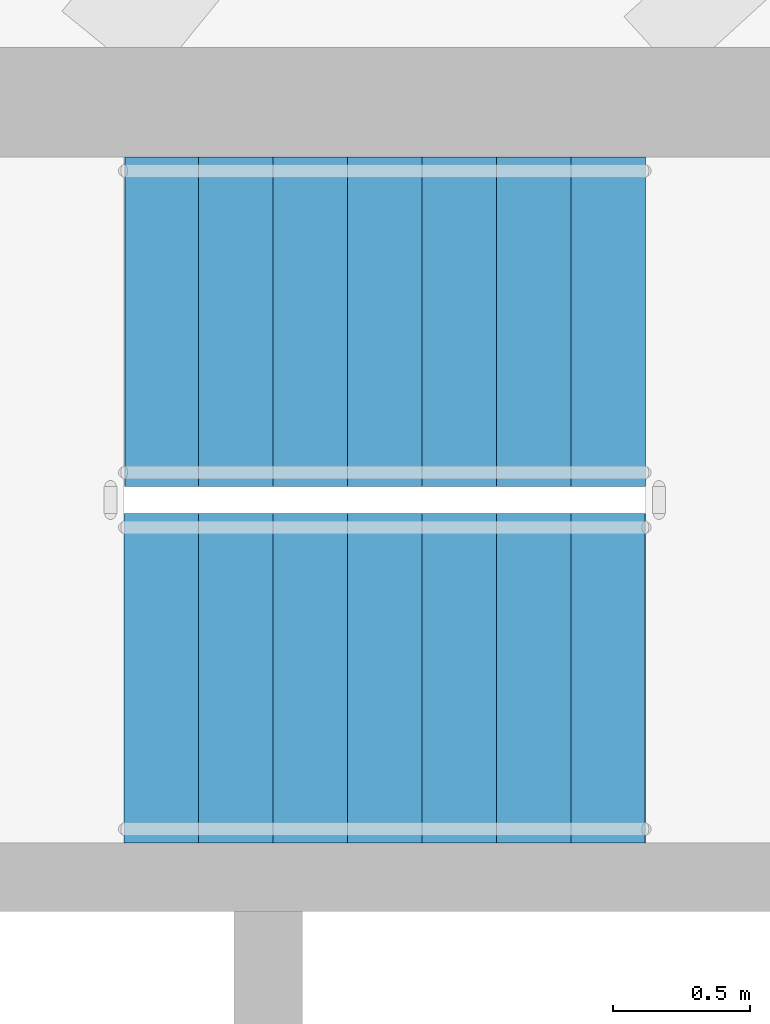
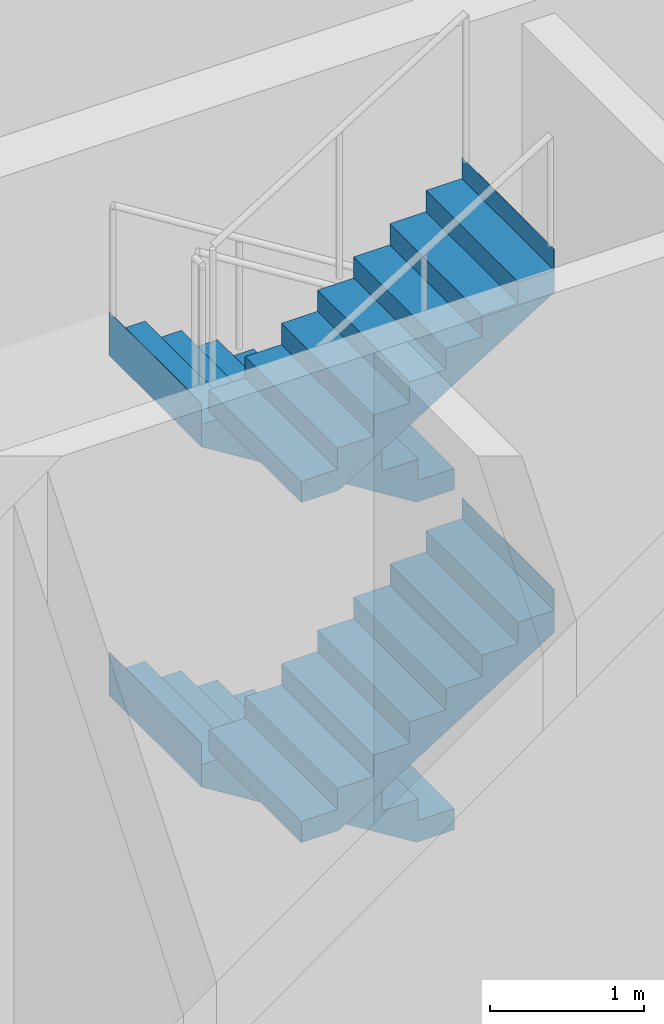
# One storey, part 10 of 16: 4 stair flights, 1 element without a shape of its own.
"""IFC4 building model written with IfcOpenShell, lengths in metres."""

from ifc_helpers import new_model, si_unit, direction, frame, origin, place, context, subcontext, project, spatial, triangles, material, type_object, element, aggregate, save


model = new_model("IFC4")

# Units and contexts
model_context = context("Model", 3, precision=1e-05, world=origin(), true_north=direction((0.0, 1.0)))
body_context = subcontext(model_context, "Body", "Model", "MODEL_VIEW")
ifc_project = project(units=[si_unit("LENGTHUNIT", "METRE"), si_unit("AREAUNIT", "SQUARE_METRE"), si_unit("VOLUMEUNIT", "CUBIC_METRE"), si_unit("PLANEANGLEUNIT", "RADIAN"), si_unit("MASSUNIT", "GRAM", prefix="KILO")], contexts=[model_context])

# Site, building, storey
site_placement = place(None, origin())
site = spatial("IfcSite", under=ifc_project, at=site_placement, CompositionType="ELEMENT")
building_placement = place(site_placement, origin())
building = spatial("IfcBuilding", under=site, at=building_placement, Name="Sahrelin Media Tower", CompositionType="ELEMENT")
storey_placement = place(building_placement, frame((0.0, 0.0, 299.0)))
storey = spatial("IfcBuildingStorey", under=building, at=storey_placement, Name="L66", CompositionType="ELEMENT", Elevation=299.0)

# Stair, stair flights
ifc_material = material(Name="Concrete C40/50", Category="concrete")
stair_type = type_object("IfcStairType", Name="Exit stair 1200", PredefinedType="HALF_TURN_STAIR", material=ifc_material)
stair_placement = place(storey_placement, origin())
stair = element("IfcStair", 1, at=stair_placement, inside=storey, type_object=stair_type, Name="L66 Exit stair ST3", PredefinedType="HALF_TURN_STAIR")
stair_flight_type = type_object("IfcStairFlightType", Name="Stair flight 1200", PredefinedType="STRAIGHT", material=ifc_material)
stair_flight_1_placement = place(storey_placement, frame((7.675048828125, 6.0, 0.0), z_axis=(0.0, 0.0, 1.0), x_axis=(-1.0, 0.0, 0.0)))
stair_flight_1 = element("IfcStairFlight", 2, at=stair_flight_1_placement, type_object=stair_flight_type, Name="ST3 flight 1", NumberOfRisers=8, NumberOfTreads=7, PredefinedType="STRAIGHT", RiserHeight=0.16875, TreadLength=0.271428571, context=body_context, shape_type="Tessellation", body=[
    triangles([(0.283935546875, 0.60009765625, 0.0), (0.283935546875, 0.300048828125, 0.0), (0.283935546875, 0.0, 0.0), (0.283935546875, -0.300048828125, 0.0), (0.283935546875, -0.60009765625, 0.0), (1.89990234375, 0.60009765625, 1.004638671875), (1.89990234375, 0.300048828125, 1.004638671875), (1.89990234375, 0.0, 1.004638671875), (1.89990234375, -0.300048828125, 1.004638671875), (1.89990234375, -0.60009765625, 1.004638671875), (1.89990234375, 0.60009765625, 1.35009765625), (1.89990234375, 0.300048828125, 1.35009765625), (1.89990234375, 0.0, 1.35009765625), (1.89990234375, -0.300048828125, 1.35009765625), (1.89990234375, -0.60009765625, 1.35009765625), (1.89794921875, 0.60009765625, 1.35009765625), (1.89794921875, 0.300048828125, 1.35009765625), (1.89794921875, 0.0, 1.35009765625), (1.89794921875, -0.300048828125, 1.35009765625), (1.89794921875, -0.60009765625, 1.35009765625), (1.89794921875, 0.60009765625, 1.18115234375), (1.89794921875, 0.300048828125, 1.18115234375), (1.89794921875, 0.0, 1.18115234375), (1.89794921875, -0.300048828125, 1.18115234375), (1.89794921875, -0.60009765625, 1.18115234375), (1.628662109375, 0.60009765625, 1.18115234375), (1.628662109375, 0.300048828125, 1.18115234375), (1.628662109375, 0.0, 1.18115234375), (1.628662109375, -0.300048828125, 1.18115234375), (1.628662109375, -0.60009765625, 1.18115234375), (1.628662109375, 0.60009765625, 1.012451171875), (1.628662109375, 0.300048828125, 1.012451171875), (1.628662109375, 0.0, 1.012451171875), (1.628662109375, -0.300048828125, 1.012451171875), (1.628662109375, -0.60009765625, 1.012451171875), (1.357177734375, 0.60009765625, 1.012451171875), (1.357177734375, 0.300048828125, 1.012451171875), (1.357177734375, 0.0, 1.012451171875), (1.357177734375, -0.300048828125, 1.012451171875), (1.357177734375, -0.60009765625, 1.012451171875), (1.357177734375, 0.60009765625, 0.84375), (1.357177734375, 0.300048828125, 0.84375), (1.357177734375, 0.0, 0.84375), (1.357177734375, -0.300048828125, 0.84375), (1.357177734375, -0.60009765625, 0.84375), (1.085693359375, 0.60009765625, 0.84375), (1.085693359375, 0.300048828125, 0.84375), (1.085693359375, 0.0, 0.84375), (1.085693359375, -0.300048828125, 0.84375), (1.085693359375, -0.60009765625, 0.84375), (1.085693359375, 0.60009765625, 0.675048828125), (1.085693359375, 0.300048828125, 0.675048828125), (1.085693359375, 0.0, 0.675048828125), (1.085693359375, -0.300048828125, 0.675048828125), (1.085693359375, -0.60009765625, 0.675048828125), (0.814208984375, 0.60009765625, 0.675048828125), (0.814208984375, 0.300048828125, 0.675048828125), (0.814208984375, 0.0, 0.675048828125), (0.814208984375, -0.300048828125, 0.675048828125), (0.814208984375, -0.60009765625, 0.675048828125), (0.814208984375, 0.60009765625, 0.50634765625), (0.814208984375, 0.300048828125, 0.50634765625), (0.814208984375, 0.0, 0.50634765625), (0.814208984375, -0.300048828125, 0.50634765625), (0.814208984375, -0.60009765625, 0.50634765625), (0.54296875, 0.60009765625, 0.50634765625), (0.54296875, 0.300048828125, 0.50634765625), (0.54296875, 0.0, 0.50634765625), (0.54296875, -0.300048828125, 0.50634765625), (0.54296875, -0.60009765625, 0.50634765625), (0.54296875, 0.60009765625, 0.33740234375), (0.54296875, 0.300048828125, 0.33740234375), (0.54296875, 0.0, 0.33740234375), (0.54296875, -0.300048828125, 0.33740234375), (0.54296875, -0.60009765625, 0.33740234375), (0.271484375, 0.60009765625, 0.33740234375), (0.271484375, 0.300048828125, 0.33740234375), (0.271484375, 0.0, 0.33740234375), (0.271484375, -0.300048828125, 0.33740234375), (0.271484375, -0.60009765625, 0.33740234375), (0.271484375, 0.60009765625, 0.168701171875), (0.271484375, 0.300048828125, 0.168701171875), (0.271484375, 0.0, 0.168701171875), (0.271484375, -0.300048828125, 0.168701171875), (0.271484375, -0.60009765625, 0.168701171875), (0.0, 0.60009765625, 0.168701171875), (0.0, 0.300048828125, 0.168701171875), (0.0, 0.0, 0.168701171875), (0.0, -0.300048828125, 0.168701171875), (0.0, -0.60009765625, 0.168701171875), (0.0, 0.60009765625, 0.0), (0.0, 0.300048828125, 0.0), (0.0, 0.0, 0.0), (0.0, -0.300048828125, 0.0), (0.0, -0.60009765625, 0.0)], [[1, 6, 7], [1, 7, 2], [2, 7, 8], [2, 8, 3], [3, 8, 9], [3, 9, 4], [4, 9, 10], [4, 10, 5], [6, 11, 12], [6, 12, 7], [7, 12, 13], [7, 13, 8], [8, 13, 14], [8, 14, 9], [9, 14, 15], [9, 15, 10], [11, 16, 17], [11, 17, 12], [12, 17, 18], [12, 18, 13], [13, 18, 19], [13, 19, 14], [14, 19, 20], [14, 20, 15], [16, 21, 22], [16, 22, 17], [17, 22, 23], [17, 23, 18], [18, 23, 24], [18, 24, 19], [19, 24, 25], [19, 25, 20], [21, 26, 27], [21, 27, 22], [22, 27, 28], [22, 28, 23], [23, 28, 29], [23, 29, 24], [24, 29, 30], [24, 30, 25], [26, 31, 32], [26, 32, 27], [27, 32, 33], [27, 33, 28], [28, 33, 34], [28, 34, 29], [29, 34, 35], [29, 35, 30], [31, 36, 37], [31, 37, 32], [32, 37, 38], [32, 38, 33], [33, 38, 39], [33, 39, 34], [34, 39, 40], [34, 40, 35], [36, 41, 42], [36, 42, 37], [37, 42, 43], [37, 43, 38], [38, 43, 44], [38, 44, 39], [39, 44, 45], [39, 45, 40], [41, 46, 47], [41, 47, 42], [42, 47, 48], [42, 48, 43], [43, 48, 49], [43, 49, 44], [44, 49, 50], [44, 50, 45], [46, 51, 52], [46, 52, 47], [47, 52, 53], [47, 53, 48], [48, 53, 54], [48, 54, 49], [49, 54, 55], [49, 55, 50], [51, 56, 57], [51, 57, 52], [52, 57, 58], [52, 58, 53], [53, 58, 59], [53, 59, 54], [54, 59, 60], [54, 60, 55], [56, 61, 62], [56, 62, 57], [57, 62, 63], [57, 63, 58], [58, 63, 64], [58, 64, 59], [59, 64, 65], [59, 65, 60], [61, 66, 67], [61, 67, 62], [62, 67, 68], [62, 68, 63], [63, 68, 69], [63, 69, 64], [64, 69, 70], [64, 70, 65], [66, 71, 72], [66, 72, 67], [67, 72, 73], [67, 73, 68], [68, 73, 74], [68, 74, 69], [69, 74, 75], [69, 75, 70], [71, 76, 77], [71, 77, 72], [72, 77, 78], [72, 78, 73], [73, 78, 79], [73, 79, 74], [74, 79, 80], [74, 80, 75], [76, 81, 82], [76, 82, 77], [77, 82, 83], [77, 83, 78], [78, 83, 84], [78, 84, 79], [79, 84, 85], [79, 85, 80], [81, 86, 87], [81, 87, 82], [82, 87, 88], [82, 88, 83], [83, 88, 89], [83, 89, 84], [84, 89, 90], [84, 90, 85], [86, 91, 92], [86, 92, 87], [87, 92, 93], [87, 93, 88], [88, 93, 94], [88, 94, 89], [89, 94, 95], [89, 95, 90], [91, 1, 2], [91, 2, 92], [92, 2, 3], [92, 3, 93], [93, 3, 4], [93, 4, 94], [94, 4, 5], [94, 5, 95], [85, 90, 95], [81, 91, 86], [85, 75, 80], [81, 76, 71], [75, 65, 70], [71, 66, 61], [65, 55, 60], [61, 56, 51], [55, 45, 50], [51, 46, 41], [45, 35, 40], [41, 36, 31], [35, 25, 30], [31, 26, 21], [25, 15, 20], [21, 16, 11], [95, 5, 85], [91, 81, 1], [5, 55, 65], [1, 61, 51], [25, 10, 15], [21, 11, 6], [75, 85, 5], [71, 1, 81], [10, 45, 55], [6, 51, 41], [35, 10, 25], [31, 21, 6], [65, 75, 5], [61, 1, 71], [45, 10, 35], [41, 31, 6], [5, 10, 55], [1, 51, 6]], closed=True),
])
stair_flight_2_placement = place(storey_placement, frame((5.77490234375, 4.699951171875, 1.35009765625), z_axis=(0.0, 0.0, 1.0), x_axis=(1.0, 0.0, 0.0)))
stair_flight_2 = element("IfcStairFlight", 3, at=stair_flight_2_placement, type_object=stair_flight_type, Name="ST3 flight 2", NumberOfRisers=8, NumberOfTreads=7, PredefinedType="STRAIGHT", RiserHeight=0.16875, TreadLength=0.271428571, context=body_context, shape_type="Tessellation", body=[
    triangles([(0.283935546875, 0.60009765625, 0.0), (0.283935546875, 0.300048828125, 0.0), (0.283935546875, 0.0, 0.0), (0.283935546875, -0.300048828125, 0.0), (0.283935546875, -0.60009765625, 0.0), (1.89990234375, 0.60009765625, 1.004638671875), (1.89990234375, 0.300048828125, 1.004638671875), (1.89990234375, 0.0, 1.004638671875), (1.89990234375, -0.300048828125, 1.004638671875), (1.89990234375, -0.60009765625, 1.004638671875), (1.89990234375, 0.60009765625, 1.35009765625), (1.89990234375, 0.300048828125, 1.35009765625), (1.89990234375, 0.0, 1.35009765625), (1.89990234375, -0.300048828125, 1.35009765625), (1.89990234375, -0.60009765625, 1.35009765625), (1.89794921875, 0.60009765625, 1.35009765625), (1.89794921875, 0.300048828125, 1.35009765625), (1.89794921875, 0.0, 1.35009765625), (1.89794921875, -0.300048828125, 1.35009765625), (1.89794921875, -0.60009765625, 1.35009765625), (1.89794921875, 0.60009765625, 1.18115234375), (1.89794921875, 0.300048828125, 1.18115234375), (1.89794921875, 0.0, 1.18115234375), (1.89794921875, -0.300048828125, 1.18115234375), (1.89794921875, -0.60009765625, 1.18115234375), (1.628662109375, 0.60009765625, 1.18115234375), (1.628662109375, 0.300048828125, 1.18115234375), (1.628662109375, 0.0, 1.18115234375), (1.628662109375, -0.300048828125, 1.18115234375), (1.628662109375, -0.60009765625, 1.18115234375), (1.628662109375, 0.60009765625, 1.012451171875), (1.628662109375, 0.300048828125, 1.012451171875), (1.628662109375, 0.0, 1.012451171875), (1.628662109375, -0.300048828125, 1.012451171875), (1.628662109375, -0.60009765625, 1.012451171875), (1.357177734375, 0.60009765625, 1.012451171875), (1.357177734375, 0.300048828125, 1.012451171875), (1.357177734375, 0.0, 1.012451171875), (1.357177734375, -0.300048828125, 1.012451171875), (1.357177734375, -0.60009765625, 1.012451171875), (1.357177734375, 0.60009765625, 0.84375), (1.357177734375, 0.300048828125, 0.84375), (1.357177734375, 0.0, 0.84375), (1.357177734375, -0.300048828125, 0.84375), (1.357177734375, -0.60009765625, 0.84375), (1.085693359375, 0.60009765625, 0.84375), (1.085693359375, 0.300048828125, 0.84375), (1.085693359375, 0.0, 0.84375), (1.085693359375, -0.300048828125, 0.84375), (1.085693359375, -0.60009765625, 0.84375), (1.085693359375, 0.60009765625, 0.675048828125), (1.085693359375, 0.300048828125, 0.675048828125), (1.085693359375, 0.0, 0.675048828125), (1.085693359375, -0.300048828125, 0.675048828125), (1.085693359375, -0.60009765625, 0.675048828125), (0.814208984375, 0.60009765625, 0.675048828125), (0.814208984375, 0.300048828125, 0.675048828125), (0.814208984375, 0.0, 0.675048828125), (0.814208984375, -0.300048828125, 0.675048828125), (0.814208984375, -0.60009765625, 0.675048828125), (0.814208984375, 0.60009765625, 0.50634765625), (0.814208984375, 0.300048828125, 0.50634765625), (0.814208984375, 0.0, 0.50634765625), (0.814208984375, -0.300048828125, 0.50634765625), (0.814208984375, -0.60009765625, 0.50634765625), (0.54296875, 0.60009765625, 0.50634765625), (0.54296875, 0.300048828125, 0.50634765625), (0.54296875, 0.0, 0.50634765625), (0.54296875, -0.300048828125, 0.50634765625), (0.54296875, -0.60009765625, 0.50634765625), (0.54296875, 0.60009765625, 0.33740234375), (0.54296875, 0.300048828125, 0.33740234375), (0.54296875, 0.0, 0.33740234375), (0.54296875, -0.300048828125, 0.33740234375), (0.54296875, -0.60009765625, 0.33740234375), (0.271484375, 0.60009765625, 0.33740234375), (0.271484375, 0.300048828125, 0.33740234375), (0.271484375, 0.0, 0.33740234375), (0.271484375, -0.300048828125, 0.33740234375), (0.271484375, -0.60009765625, 0.33740234375), (0.271484375, 0.60009765625, 0.168701171875), (0.271484375, 0.300048828125, 0.168701171875), (0.271484375, 0.0, 0.168701171875), (0.271484375, -0.300048828125, 0.168701171875), (0.271484375, -0.60009765625, 0.168701171875), (0.0, 0.60009765625, 0.168701171875), (0.0, 0.300048828125, 0.168701171875), (0.0, 0.0, 0.168701171875), (0.0, -0.300048828125, 0.168701171875), (0.0, -0.60009765625, 0.168701171875), (0.0, 0.60009765625, 0.0), (0.0, 0.300048828125, 0.0), (0.0, 0.0, 0.0), (0.0, -0.300048828125, 0.0), (0.0, -0.60009765625, 0.0)], [[1, 6, 7], [1, 7, 2], [2, 7, 8], [2, 8, 3], [3, 8, 9], [3, 9, 4], [4, 9, 10], [4, 10, 5], [6, 11, 12], [6, 12, 7], [7, 12, 13], [7, 13, 8], [8, 13, 14], [8, 14, 9], [9, 14, 15], [9, 15, 10], [11, 16, 17], [11, 17, 12], [12, 17, 18], [12, 18, 13], [13, 18, 19], [13, 19, 14], [14, 19, 20], [14, 20, 15], [16, 21, 22], [16, 22, 17], [17, 22, 23], [17, 23, 18], [18, 23, 24], [18, 24, 19], [19, 24, 25], [19, 25, 20], [21, 26, 27], [21, 27, 22], [22, 27, 28], [22, 28, 23], [23, 28, 29], [23, 29, 24], [24, 29, 30], [24, 30, 25], [26, 31, 32], [26, 32, 27], [27, 32, 33], [27, 33, 28], [28, 33, 34], [28, 34, 29], [29, 34, 35], [29, 35, 30], [31, 36, 37], [31, 37, 32], [32, 37, 38], [32, 38, 33], [33, 38, 39], [33, 39, 34], [34, 39, 40], [34, 40, 35], [36, 41, 42], [36, 42, 37], [37, 42, 43], [37, 43, 38], [38, 43, 44], [38, 44, 39], [39, 44, 45], [39, 45, 40], [41, 46, 47], [41, 47, 42], [42, 47, 48], [42, 48, 43], [43, 48, 49], [43, 49, 44], [44, 49, 50], [44, 50, 45], [46, 51, 52], [46, 52, 47], [47, 52, 53], [47, 53, 48], [48, 53, 54], [48, 54, 49], [49, 54, 55], [49, 55, 50], [51, 56, 57], [51, 57, 52], [52, 57, 58], [52, 58, 53], [53, 58, 59], [53, 59, 54], [54, 59, 60], [54, 60, 55], [56, 61, 62], [56, 62, 57], [57, 62, 63], [57, 63, 58], [58, 63, 64], [58, 64, 59], [59, 64, 65], [59, 65, 60], [61, 66, 67], [61, 67, 62], [62, 67, 68], [62, 68, 63], [63, 68, 69], [63, 69, 64], [64, 69, 70], [64, 70, 65], [66, 71, 72], [66, 72, 67], [67, 72, 73], [67, 73, 68], [68, 73, 74], [68, 74, 69], [69, 74, 75], [69, 75, 70], [71, 76, 77], [71, 77, 72], [72, 77, 78], [72, 78, 73], [73, 78, 79], [73, 79, 74], [74, 79, 80], [74, 80, 75], [76, 81, 82], [76, 82, 77], [77, 82, 83], [77, 83, 78], [78, 83, 84], [78, 84, 79], [79, 84, 85], [79, 85, 80], [81, 86, 87], [81, 87, 82], [82, 87, 88], [82, 88, 83], [83, 88, 89], [83, 89, 84], [84, 89, 90], [84, 90, 85], [86, 91, 92], [86, 92, 87], [87, 92, 93], [87, 93, 88], [88, 93, 94], [88, 94, 89], [89, 94, 95], [89, 95, 90], [91, 1, 2], [91, 2, 92], [92, 2, 3], [92, 3, 93], [93, 3, 4], [93, 4, 94], [94, 4, 5], [94, 5, 95], [85, 90, 95], [81, 91, 86], [85, 75, 80], [81, 76, 71], [75, 65, 70], [71, 66, 61], [65, 55, 60], [61, 56, 51], [55, 45, 50], [51, 46, 41], [45, 35, 40], [41, 36, 31], [35, 25, 30], [31, 26, 21], [25, 15, 20], [21, 16, 11], [95, 5, 85], [91, 81, 1], [5, 55, 65], [1, 61, 51], [25, 10, 15], [21, 11, 6], [75, 85, 5], [71, 1, 81], [10, 45, 55], [6, 51, 41], [35, 10, 25], [31, 21, 6], [65, 75, 5], [61, 1, 71], [45, 10, 35], [41, 31, 6], [5, 10, 55], [1, 51, 6]], closed=True),
])
stair_flight_3_placement = place(storey_placement, frame((7.675048828125, 6.0, 2.699951171875), z_axis=(0.0, 0.0, 1.0), x_axis=(-1.0, 0.0, 0.0)))
stair_flight_3 = element("IfcStairFlight", 4, at=stair_flight_3_placement, type_object=stair_flight_type, Name="ST3 flight 3", NumberOfRisers=8, NumberOfTreads=7, PredefinedType="STRAIGHT", RiserHeight=0.16875, TreadLength=0.271428571, context=body_context, shape_type="Tessellation", body=[
    triangles([(0.283935546875, 0.60009765625, 0.0), (0.283935546875, 0.300048828125, 0.0), (0.283935546875, 0.0, 0.0), (0.283935546875, -0.300048828125, 0.0), (0.283935546875, -0.60009765625, 0.0), (1.89990234375, 0.60009765625, 1.004638671875), (1.89990234375, 0.300048828125, 1.004638671875), (1.89990234375, 0.0, 1.004638671875), (1.89990234375, -0.300048828125, 1.004638671875), (1.89990234375, -0.60009765625, 1.004638671875), (1.89990234375, 0.60009765625, 1.35009765625), (1.89990234375, 0.300048828125, 1.35009765625), (1.89990234375, 0.0, 1.35009765625), (1.89990234375, -0.300048828125, 1.35009765625), (1.89990234375, -0.60009765625, 1.35009765625), (1.89794921875, 0.60009765625, 1.35009765625), (1.89794921875, 0.300048828125, 1.35009765625), (1.89794921875, 0.0, 1.35009765625), (1.89794921875, -0.300048828125, 1.35009765625), (1.89794921875, -0.60009765625, 1.35009765625), (1.89794921875, 0.60009765625, 1.18115234375), (1.89794921875, 0.300048828125, 1.18115234375), (1.89794921875, 0.0, 1.18115234375), (1.89794921875, -0.300048828125, 1.18115234375), (1.89794921875, -0.60009765625, 1.18115234375), (1.628662109375, 0.60009765625, 1.18115234375), (1.628662109375, 0.300048828125, 1.18115234375), (1.628662109375, 0.0, 1.18115234375), (1.628662109375, -0.300048828125, 1.18115234375), (1.628662109375, -0.60009765625, 1.18115234375), (1.628662109375, 0.60009765625, 1.012451171875), (1.628662109375, 0.300048828125, 1.012451171875), (1.628662109375, 0.0, 1.012451171875), (1.628662109375, -0.300048828125, 1.012451171875), (1.628662109375, -0.60009765625, 1.012451171875), (1.357177734375, 0.60009765625, 1.012451171875), (1.357177734375, 0.300048828125, 1.012451171875), (1.357177734375, 0.0, 1.012451171875), (1.357177734375, -0.300048828125, 1.012451171875), (1.357177734375, -0.60009765625, 1.012451171875), (1.357177734375, 0.60009765625, 0.84375), (1.357177734375, 0.300048828125, 0.84375), (1.357177734375, 0.0, 0.84375), (1.357177734375, -0.300048828125, 0.84375), (1.357177734375, -0.60009765625, 0.84375), (1.085693359375, 0.60009765625, 0.84375), (1.085693359375, 0.300048828125, 0.84375), (1.085693359375, 0.0, 0.84375), (1.085693359375, -0.300048828125, 0.84375), (1.085693359375, -0.60009765625, 0.84375), (1.085693359375, 0.60009765625, 0.675048828125), (1.085693359375, 0.300048828125, 0.675048828125), (1.085693359375, 0.0, 0.675048828125), (1.085693359375, -0.300048828125, 0.675048828125), (1.085693359375, -0.60009765625, 0.675048828125), (0.814208984375, 0.60009765625, 0.675048828125), (0.814208984375, 0.300048828125, 0.675048828125), (0.814208984375, 0.0, 0.675048828125), (0.814208984375, -0.300048828125, 0.675048828125), (0.814208984375, -0.60009765625, 0.675048828125), (0.814208984375, 0.60009765625, 0.50634765625), (0.814208984375, 0.300048828125, 0.50634765625), (0.814208984375, 0.0, 0.50634765625), (0.814208984375, -0.300048828125, 0.50634765625), (0.814208984375, -0.60009765625, 0.50634765625), (0.54296875, 0.60009765625, 0.50634765625), (0.54296875, 0.300048828125, 0.50634765625), (0.54296875, 0.0, 0.50634765625), (0.54296875, -0.300048828125, 0.50634765625), (0.54296875, -0.60009765625, 0.50634765625), (0.54296875, 0.60009765625, 0.33740234375), (0.54296875, 0.300048828125, 0.33740234375), (0.54296875, 0.0, 0.33740234375), (0.54296875, -0.300048828125, 0.33740234375), (0.54296875, -0.60009765625, 0.33740234375), (0.271484375, 0.60009765625, 0.33740234375), (0.271484375, 0.300048828125, 0.33740234375), (0.271484375, 0.0, 0.33740234375), (0.271484375, -0.300048828125, 0.33740234375), (0.271484375, -0.60009765625, 0.33740234375), (0.271484375, 0.60009765625, 0.168701171875), (0.271484375, 0.300048828125, 0.168701171875), (0.271484375, 0.0, 0.168701171875), (0.271484375, -0.300048828125, 0.168701171875), (0.271484375, -0.60009765625, 0.168701171875), (0.0, 0.60009765625, 0.168701171875), (0.0, 0.300048828125, 0.168701171875), (0.0, 0.0, 0.168701171875), (0.0, -0.300048828125, 0.168701171875), (0.0, -0.60009765625, 0.168701171875), (0.0, 0.60009765625, 0.0), (0.0, 0.300048828125, 0.0), (0.0, 0.0, 0.0), (0.0, -0.300048828125, 0.0), (0.0, -0.60009765625, 0.0)], [[1, 6, 7], [1, 7, 2], [2, 7, 8], [2, 8, 3], [3, 8, 9], [3, 9, 4], [4, 9, 10], [4, 10, 5], [6, 11, 12], [6, 12, 7], [7, 12, 13], [7, 13, 8], [8, 13, 14], [8, 14, 9], [9, 14, 15], [9, 15, 10], [11, 16, 17], [11, 17, 12], [12, 17, 18], [12, 18, 13], [13, 18, 19], [13, 19, 14], [14, 19, 20], [14, 20, 15], [16, 21, 22], [16, 22, 17], [17, 22, 23], [17, 23, 18], [18, 23, 24], [18, 24, 19], [19, 24, 25], [19, 25, 20], [21, 26, 27], [21, 27, 22], [22, 27, 28], [22, 28, 23], [23, 28, 29], [23, 29, 24], [24, 29, 30], [24, 30, 25], [26, 31, 32], [26, 32, 27], [27, 32, 33], [27, 33, 28], [28, 33, 34], [28, 34, 29], [29, 34, 35], [29, 35, 30], [31, 36, 37], [31, 37, 32], [32, 37, 38], [32, 38, 33], [33, 38, 39], [33, 39, 34], [34, 39, 40], [34, 40, 35], [36, 41, 42], [36, 42, 37], [37, 42, 43], [37, 43, 38], [38, 43, 44], [38, 44, 39], [39, 44, 45], [39, 45, 40], [41, 46, 47], [41, 47, 42], [42, 47, 48], [42, 48, 43], [43, 48, 49], [43, 49, 44], [44, 49, 50], [44, 50, 45], [46, 51, 52], [46, 52, 47], [47, 52, 53], [47, 53, 48], [48, 53, 54], [48, 54, 49], [49, 54, 55], [49, 55, 50], [51, 56, 57], [51, 57, 52], [52, 57, 58], [52, 58, 53], [53, 58, 59], [53, 59, 54], [54, 59, 60], [54, 60, 55], [56, 61, 62], [56, 62, 57], [57, 62, 63], [57, 63, 58], [58, 63, 64], [58, 64, 59], [59, 64, 65], [59, 65, 60], [61, 66, 67], [61, 67, 62], [62, 67, 68], [62, 68, 63], [63, 68, 69], [63, 69, 64], [64, 69, 70], [64, 70, 65], [66, 71, 72], [66, 72, 67], [67, 72, 73], [67, 73, 68], [68, 73, 74], [68, 74, 69], [69, 74, 75], [69, 75, 70], [71, 76, 77], [71, 77, 72], [72, 77, 78], [72, 78, 73], [73, 78, 79], [73, 79, 74], [74, 79, 80], [74, 80, 75], [76, 81, 82], [76, 82, 77], [77, 82, 83], [77, 83, 78], [78, 83, 84], [78, 84, 79], [79, 84, 85], [79, 85, 80], [81, 86, 87], [81, 87, 82], [82, 87, 88], [82, 88, 83], [83, 88, 89], [83, 89, 84], [84, 89, 90], [84, 90, 85], [86, 91, 92], [86, 92, 87], [87, 92, 93], [87, 93, 88], [88, 93, 94], [88, 94, 89], [89, 94, 95], [89, 95, 90], [91, 1, 2], [91, 2, 92], [92, 2, 3], [92, 3, 93], [93, 3, 4], [93, 4, 94], [94, 4, 5], [94, 5, 95], [85, 90, 95], [81, 91, 86], [85, 75, 80], [81, 76, 71], [75, 65, 70], [71, 66, 61], [65, 55, 60], [61, 56, 51], [55, 45, 50], [51, 46, 41], [45, 35, 40], [41, 36, 31], [35, 25, 30], [31, 26, 21], [25, 15, 20], [21, 16, 11], [95, 5, 85], [91, 81, 1], [5, 55, 65], [1, 61, 51], [25, 10, 15], [21, 11, 6], [75, 85, 5], [71, 1, 81], [10, 45, 55], [6, 51, 41], [35, 10, 25], [31, 21, 6], [65, 75, 5], [61, 1, 71], [45, 10, 35], [41, 31, 6], [5, 10, 55], [1, 51, 6]], closed=True),
])
stair_flight_4_placement = place(storey_placement, frame((5.77490234375, 4.699951171875, 4.050048828125), z_axis=(0.0, 0.0, 1.0), x_axis=(1.0, 0.0, 0.0)))
stair_flight_4 = element("IfcStairFlight", 5, at=stair_flight_4_placement, type_object=stair_flight_type, Name="ST3 flight 4", NumberOfRisers=8, NumberOfTreads=7, PredefinedType="STRAIGHT", RiserHeight=0.16875, TreadLength=0.271428571, context=body_context, shape_type="Tessellation", body=[
    triangles([(0.283935546875, 0.60009765625, 0.0), (0.283935546875, 0.300048828125, 0.0), (0.283935546875, 0.0, 0.0), (0.283935546875, -0.300048828125, 0.0), (0.283935546875, -0.60009765625, 0.0), (1.89990234375, 0.60009765625, 1.004638671875), (1.89990234375, 0.300048828125, 1.004638671875), (1.89990234375, 0.0, 1.004638671875), (1.89990234375, -0.300048828125, 1.004638671875), (1.89990234375, -0.60009765625, 1.004638671875), (1.89990234375, 0.60009765625, 1.35009765625), (1.89990234375, 0.300048828125, 1.35009765625), (1.89990234375, 0.0, 1.35009765625), (1.89990234375, -0.300048828125, 1.35009765625), (1.89990234375, -0.60009765625, 1.35009765625), (1.89794921875, 0.60009765625, 1.35009765625), (1.89794921875, 0.300048828125, 1.35009765625), (1.89794921875, 0.0, 1.35009765625), (1.89794921875, -0.300048828125, 1.35009765625), (1.89794921875, -0.60009765625, 1.35009765625), (1.89794921875, 0.60009765625, 1.18115234375), (1.89794921875, 0.300048828125, 1.18115234375), (1.89794921875, 0.0, 1.18115234375), (1.89794921875, -0.300048828125, 1.18115234375), (1.89794921875, -0.60009765625, 1.18115234375), (1.628662109375, 0.60009765625, 1.18115234375), (1.628662109375, 0.300048828125, 1.18115234375), (1.628662109375, 0.0, 1.18115234375), (1.628662109375, -0.300048828125, 1.18115234375), (1.628662109375, -0.60009765625, 1.18115234375), (1.628662109375, 0.60009765625, 1.012451171875), (1.628662109375, 0.300048828125, 1.012451171875), (1.628662109375, 0.0, 1.012451171875), (1.628662109375, -0.300048828125, 1.012451171875), (1.628662109375, -0.60009765625, 1.012451171875), (1.357177734375, 0.60009765625, 1.012451171875), (1.357177734375, 0.300048828125, 1.012451171875), (1.357177734375, 0.0, 1.012451171875), (1.357177734375, -0.300048828125, 1.012451171875), (1.357177734375, -0.60009765625, 1.012451171875), (1.357177734375, 0.60009765625, 0.84375), (1.357177734375, 0.300048828125, 0.84375), (1.357177734375, 0.0, 0.84375), (1.357177734375, -0.300048828125, 0.84375), (1.357177734375, -0.60009765625, 0.84375), (1.085693359375, 0.60009765625, 0.84375), (1.085693359375, 0.300048828125, 0.84375), (1.085693359375, 0.0, 0.84375), (1.085693359375, -0.300048828125, 0.84375), (1.085693359375, -0.60009765625, 0.84375), (1.085693359375, 0.60009765625, 0.675048828125), (1.085693359375, 0.300048828125, 0.675048828125), (1.085693359375, 0.0, 0.675048828125), (1.085693359375, -0.300048828125, 0.675048828125), (1.085693359375, -0.60009765625, 0.675048828125), (0.814208984375, 0.60009765625, 0.675048828125), (0.814208984375, 0.300048828125, 0.675048828125), (0.814208984375, 0.0, 0.675048828125), (0.814208984375, -0.300048828125, 0.675048828125), (0.814208984375, -0.60009765625, 0.675048828125), (0.814208984375, 0.60009765625, 0.50634765625), (0.814208984375, 0.300048828125, 0.50634765625), (0.814208984375, 0.0, 0.50634765625), (0.814208984375, -0.300048828125, 0.50634765625), (0.814208984375, -0.60009765625, 0.50634765625), (0.54296875, 0.60009765625, 0.50634765625), (0.54296875, 0.300048828125, 0.50634765625), (0.54296875, 0.0, 0.50634765625), (0.54296875, -0.300048828125, 0.50634765625), (0.54296875, -0.60009765625, 0.50634765625), (0.54296875, 0.60009765625, 0.33740234375), (0.54296875, 0.300048828125, 0.33740234375), (0.54296875, 0.0, 0.33740234375), (0.54296875, -0.300048828125, 0.33740234375), (0.54296875, -0.60009765625, 0.33740234375), (0.271484375, 0.60009765625, 0.33740234375), (0.271484375, 0.300048828125, 0.33740234375), (0.271484375, 0.0, 0.33740234375), (0.271484375, -0.300048828125, 0.33740234375), (0.271484375, -0.60009765625, 0.33740234375), (0.271484375, 0.60009765625, 0.168701171875), (0.271484375, 0.300048828125, 0.168701171875), (0.271484375, 0.0, 0.168701171875), (0.271484375, -0.300048828125, 0.168701171875), (0.271484375, -0.60009765625, 0.168701171875), (0.0, 0.60009765625, 0.168701171875), (0.0, 0.300048828125, 0.168701171875), (0.0, 0.0, 0.168701171875), (0.0, -0.300048828125, 0.168701171875), (0.0, -0.60009765625, 0.168701171875), (0.0, 0.60009765625, 0.0), (0.0, 0.300048828125, 0.0), (0.0, 0.0, 0.0), (0.0, -0.300048828125, 0.0), (0.0, -0.60009765625, 0.0)], [[1, 6, 7], [1, 7, 2], [2, 7, 8], [2, 8, 3], [3, 8, 9], [3, 9, 4], [4, 9, 10], [4, 10, 5], [6, 11, 12], [6, 12, 7], [7, 12, 13], [7, 13, 8], [8, 13, 14], [8, 14, 9], [9, 14, 15], [9, 15, 10], [11, 16, 17], [11, 17, 12], [12, 17, 18], [12, 18, 13], [13, 18, 19], [13, 19, 14], [14, 19, 20], [14, 20, 15], [16, 21, 22], [16, 22, 17], [17, 22, 23], [17, 23, 18], [18, 23, 24], [18, 24, 19], [19, 24, 25], [19, 25, 20], [21, 26, 27], [21, 27, 22], [22, 27, 28], [22, 28, 23], [23, 28, 29], [23, 29, 24], [24, 29, 30], [24, 30, 25], [26, 31, 32], [26, 32, 27], [27, 32, 33], [27, 33, 28], [28, 33, 34], [28, 34, 29], [29, 34, 35], [29, 35, 30], [31, 36, 37], [31, 37, 32], [32, 37, 38], [32, 38, 33], [33, 38, 39], [33, 39, 34], [34, 39, 40], [34, 40, 35], [36, 41, 42], [36, 42, 37], [37, 42, 43], [37, 43, 38], [38, 43, 44], [38, 44, 39], [39, 44, 45], [39, 45, 40], [41, 46, 47], [41, 47, 42], [42, 47, 48], [42, 48, 43], [43, 48, 49], [43, 49, 44], [44, 49, 50], [44, 50, 45], [46, 51, 52], [46, 52, 47], [47, 52, 53], [47, 53, 48], [48, 53, 54], [48, 54, 49], [49, 54, 55], [49, 55, 50], [51, 56, 57], [51, 57, 52], [52, 57, 58], [52, 58, 53], [53, 58, 59], [53, 59, 54], [54, 59, 60], [54, 60, 55], [56, 61, 62], [56, 62, 57], [57, 62, 63], [57, 63, 58], [58, 63, 64], [58, 64, 59], [59, 64, 65], [59, 65, 60], [61, 66, 67], [61, 67, 62], [62, 67, 68], [62, 68, 63], [63, 68, 69], [63, 69, 64], [64, 69, 70], [64, 70, 65], [66, 71, 72], [66, 72, 67], [67, 72, 73], [67, 73, 68], [68, 73, 74], [68, 74, 69], [69, 74, 75], [69, 75, 70], [71, 76, 77], [71, 77, 72], [72, 77, 78], [72, 78, 73], [73, 78, 79], [73, 79, 74], [74, 79, 80], [74, 80, 75], [76, 81, 82], [76, 82, 77], [77, 82, 83], [77, 83, 78], [78, 83, 84], [78, 84, 79], [79, 84, 85], [79, 85, 80], [81, 86, 87], [81, 87, 82], [82, 87, 88], [82, 88, 83], [83, 88, 89], [83, 89, 84], [84, 89, 90], [84, 90, 85], [86, 91, 92], [86, 92, 87], [87, 92, 93], [87, 93, 88], [88, 93, 94], [88, 94, 89], [89, 94, 95], [89, 95, 90], [91, 1, 2], [91, 2, 92], [92, 2, 3], [92, 3, 93], [93, 3, 4], [93, 4, 94], [94, 4, 5], [94, 5, 95], [85, 90, 95], [81, 91, 86], [85, 75, 80], [81, 76, 71], [75, 65, 70], [71, 66, 61], [65, 55, 60], [61, 56, 51], [55, 45, 50], [51, 46, 41], [45, 35, 40], [41, 36, 31], [35, 25, 30], [31, 26, 21], [25, 15, 20], [21, 16, 11], [95, 5, 85], [91, 81, 1], [5, 55, 65], [1, 61, 51], [25, 10, 15], [21, 11, 6], [75, 85, 5], [71, 1, 81], [10, 45, 55], [6, 51, 41], [35, 10, 25], [31, 21, 6], [65, 75, 5], [61, 1, 71], [45, 10, 35], [41, 31, 6], [5, 10, 55], [1, 51, 6]], closed=True),
])
aggregate(stair, [stair_flight_1, stair_flight_2, stair_flight_3, stair_flight_4])

save(model, "model.ifc")
